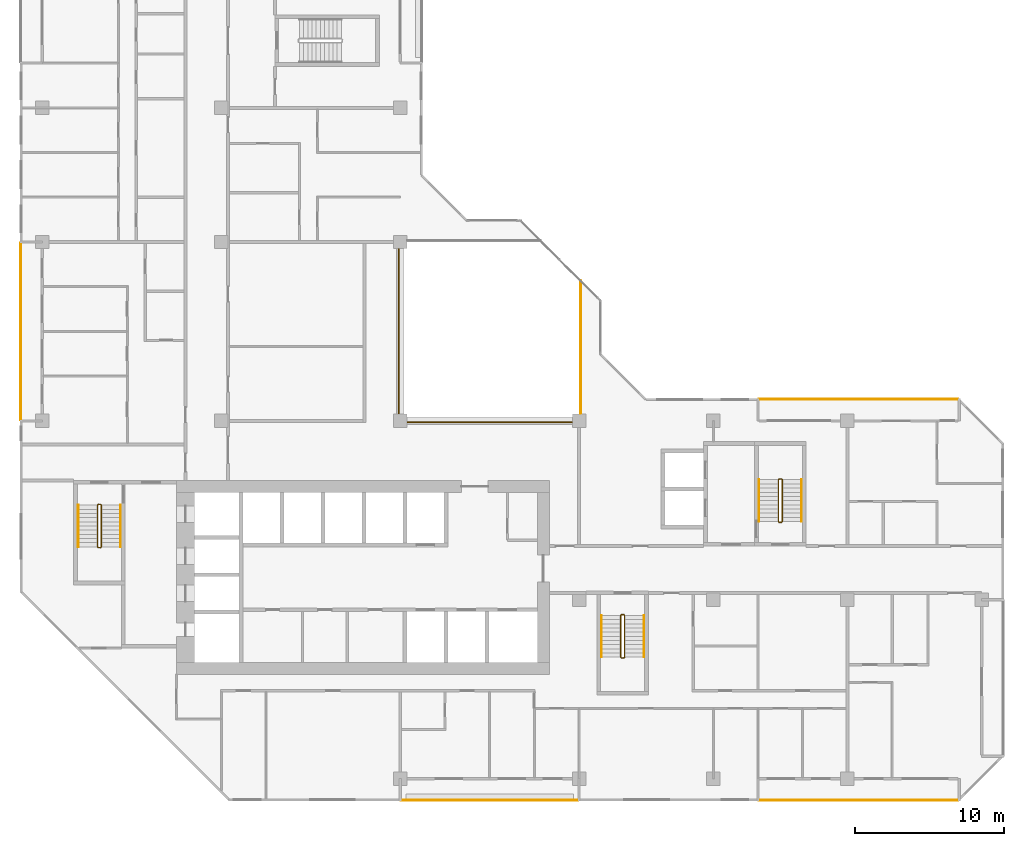
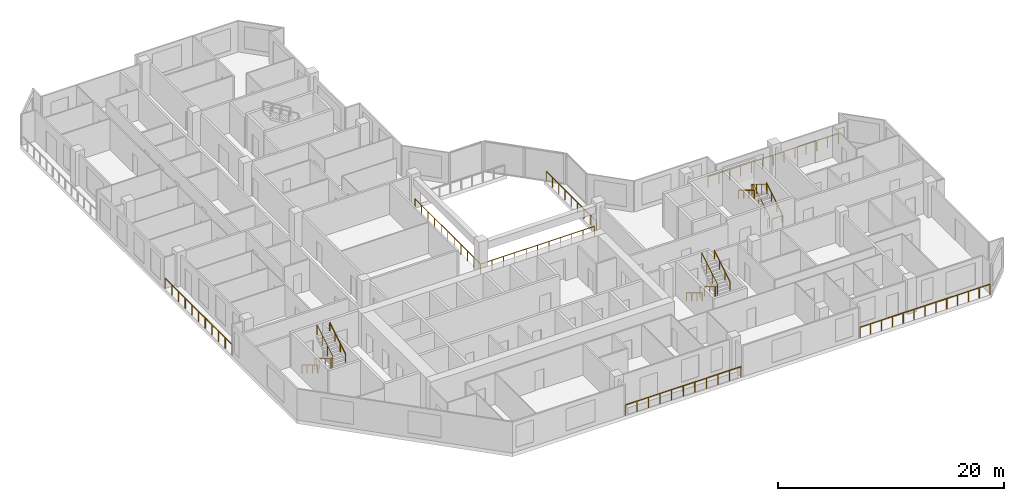
# One storey, part 13 of 14: 15 railings.
"""IFC4 building model written with IfcOpenShell, lengths in metres."""

from ifc_helpers import new_model, si_unit, direction, frame, origin, origin_2d, place, context, subcontext, project, spatial, rectangle, extrude, material, type_object, element, save


model = new_model("IFC4")

# Units and contexts
model_context = context("Model", 3, precision=1e-05, world=origin(), true_north=direction((0.0, 1.0)))
body_context = subcontext(model_context, "Body", "Model", "MODEL_VIEW")
ifc_project = project(units=[si_unit("LENGTHUNIT", "METRE"), si_unit("AREAUNIT", "SQUARE_METRE"), si_unit("VOLUMEUNIT", "CUBIC_METRE"), si_unit("PLANEANGLEUNIT", "RADIAN"), si_unit("MASSUNIT", "GRAM", prefix="KILO")], contexts=[model_context])

# Site, building, storey
site_placement = place(None, origin())
site = spatial("IfcSite", under=ifc_project, at=site_placement, CompositionType="ELEMENT")
building_placement = place(site_placement, origin())
building = spatial("IfcBuilding", under=site, at=building_placement, Name="Chenar Terraces", CompositionType="ELEMENT")
storey_placement = place(building_placement, frame((0.0, 0.0, 161.14990234375)))
storey = spatial("IfcBuildingStorey", under=building, at=storey_placement, Name="L36", CompositionType="ELEMENT", Elevation=161.14990234375)

# Railings
ifc_material_1 = material(Name="Powder-coated steel", Category="steel")
railing_type_1 = type_object("IfcRailingType", Name="Guard 1100 steel rail with glass infill", PredefinedType="GUARDRAIL", material=ifc_material_1)
railing_1_placement = place(storey_placement, frame((23.89990234375, 35.550048828125, 0.0)))
element("IfcRailing", 1, at=railing_1_placement, inside=storey, type_object=railing_type_1, Name="Guard L36-1", PredefinedType="GUARDRAIL", context=body_context, shape_type="SweptSolid", body=[
    extrude(rectangle(XDim=0.06005859375, YDim=0.06005859375, at=origin_2d()), frame((0.0, 0.0, 1.070068359375), z_axis=(0.0, -1.0, 0.0), x_axis=(1.0, 0.0, 0.0)), (0.0, 0.0, 1.0), 11.650146484375),
    extrude(rectangle(XDim=0.06005859375, YDim=0.06005859375, at=origin_2d()), frame((0.0, -11.650146484375, 1.070068359375), z_axis=(1.0, 0.0, 0.0), x_axis=(0.0, 1.0, 0.0)), (0.0, 0.0, 1.0), 11.650146484375),
    extrude(rectangle(XDim=0.050048828125, YDim=0.050048828125, at=origin_2d()), origin(), (0.0, 0.0, 1.0), 1.0400390625),
    extrude(rectangle(XDim=0.050048828125, YDim=0.050048828125, at=origin_2d()), frame((0.0, -1.1650390625, 0.0)), (0.0, 0.0, 1.0), 1.0400390625),
    extrude(rectangle(XDim=0.050048828125, YDim=0.050048828125, at=origin_2d()), frame((0.0, -2.330078125, 0.0)), (0.0, 0.0, 1.0), 1.0400390625),
    extrude(rectangle(XDim=0.050048828125, YDim=0.050048828125, at=origin_2d()), frame((0.0, -3.4951171875, 0.0)), (0.0, 0.0, 1.0), 1.0400390625),
    extrude(rectangle(XDim=0.050048828125, YDim=0.050048828125, at=origin_2d()), frame((0.0, -4.66015625, 0.0)), (0.0, 0.0, 1.0), 1.0400390625),
    extrude(rectangle(XDim=0.050048828125, YDim=0.050048828125, at=origin_2d()), frame((0.0, -5.8251953125, 0.0)), (0.0, 0.0, 1.0), 1.0400390625),
    extrude(rectangle(XDim=0.050048828125, YDim=0.050048828125, at=origin_2d()), frame((0.0, -6.989990234375, 0.0)), (0.0, 0.0, 1.0), 1.0400390625),
    extrude(rectangle(XDim=0.050048828125, YDim=0.050048828125, at=origin_2d()), frame((0.0, -8.155029296875, 0.0)), (0.0, 0.0, 1.0), 1.0400390625),
    extrude(rectangle(XDim=0.050048828125, YDim=0.050048828125, at=origin_2d()), frame((0.0, -9.320068359375, 0.0)), (0.0, 0.0, 1.0), 1.0400390625),
    extrude(rectangle(XDim=0.050048828125, YDim=0.050048828125, at=origin_2d()), frame((0.0, -10.485107421875, 0.0)), (0.0, 0.0, 1.0), 1.0400390625),
    extrude(rectangle(XDim=0.050048828125, YDim=0.050048828125, at=origin_2d()), frame((0.0, -11.650146484375, 0.0)), (0.0, 0.0, 1.0), 1.0400390625),
    extrude(rectangle(XDim=0.050048828125, YDim=0.050048828125, at=origin_2d()), frame((1.1650390625, -11.650146484375, 0.0)), (0.0, 0.0, 1.0), 1.0400390625),
    extrude(rectangle(XDim=0.050048828125, YDim=0.050048828125, at=origin_2d()), frame((2.330078125, -11.650146484375, 0.0)), (0.0, 0.0, 1.0), 1.0400390625),
    extrude(rectangle(XDim=0.050048828125, YDim=0.050048828125, at=origin_2d()), frame((3.4951171875, -11.650146484375, 0.0)), (0.0, 0.0, 1.0), 1.0400390625),
    extrude(rectangle(XDim=0.050048828125, YDim=0.050048828125, at=origin_2d()), frame((4.66015625, -11.650146484375, 0.0)), (0.0, 0.0, 1.0), 1.0400390625),
    extrude(rectangle(XDim=0.050048828125, YDim=0.050048828125, at=origin_2d()), frame((5.8251953125, -11.650146484375, 0.0)), (0.0, 0.0, 1.0), 1.0400390625),
    extrude(rectangle(XDim=0.050048828125, YDim=0.050048828125, at=origin_2d()), frame((6.989990234375, -11.650146484375, 0.0)), (0.0, 0.0, 1.0), 1.0400390625),
    extrude(rectangle(XDim=0.050048828125, YDim=0.050048828125, at=origin_2d()), frame((8.155029296875, -11.650146484375, 0.0)), (0.0, 0.0, 1.0), 1.0400390625),
    extrude(rectangle(XDim=0.050048828125, YDim=0.050048828125, at=origin_2d()), frame((9.320068359375, -11.650146484375, 0.0)), (0.0, 0.0, 1.0), 1.0400390625),
    extrude(rectangle(XDim=0.050048828125, YDim=0.050048828125, at=origin_2d()), frame((10.485107421875, -11.650146484375, 0.0)), (0.0, 0.0, 1.0), 1.0400390625),
    extrude(rectangle(XDim=0.050048828125, YDim=0.050048828125, at=origin_2d()), frame((11.650146484375, -11.650146484375, 0.0)), (0.0, 0.0, 1.0), 1.0400390625),
])
railing_2_placement = place(storey_placement, frame((36.10009765625, 24.5, 0.0)))
element("IfcRailing", 2, at=railing_2_placement, inside=storey, type_object=railing_type_1, Name="Guard L36-3", PredefinedType="GUARDRAIL", context=body_context, shape_type="SweptSolid", body=[
    extrude(rectangle(XDim=0.06005859375, YDim=0.06005859375, at=origin_2d()), frame((0.0, 0.0, 1.070068359375), z_axis=(0.0, 1.0, 0.0), x_axis=(-1.0, 0.0, 0.0)), (0.0, 0.0, 1.0), 8.89990234375),
    extrude(rectangle(XDim=0.050048828125, YDim=0.050048828125, at=origin_2d()), origin(), (0.0, 0.0, 1.0), 1.0400390625),
    extrude(rectangle(XDim=0.050048828125, YDim=0.050048828125, at=origin_2d()), frame((0.0, 1.112548828125, 0.0)), (0.0, 0.0, 1.0), 1.0400390625),
    extrude(rectangle(XDim=0.050048828125, YDim=0.050048828125, at=origin_2d()), frame((0.0, 2.22509765625, 0.0)), (0.0, 0.0, 1.0), 1.0400390625),
    extrude(rectangle(XDim=0.050048828125, YDim=0.050048828125, at=origin_2d()), frame((0.0, 3.33740234375, 0.0)), (0.0, 0.0, 1.0), 1.0400390625),
    extrude(rectangle(XDim=0.050048828125, YDim=0.050048828125, at=origin_2d()), frame((0.0, 4.449951171875, 0.0)), (0.0, 0.0, 1.0), 1.0400390625),
    extrude(rectangle(XDim=0.050048828125, YDim=0.050048828125, at=origin_2d()), frame((0.0, 5.5625, 0.0)), (0.0, 0.0, 1.0), 1.0400390625),
    extrude(rectangle(XDim=0.050048828125, YDim=0.050048828125, at=origin_2d()), frame((0.0, 6.6748046875, 0.0)), (0.0, 0.0, 1.0), 1.0400390625),
    extrude(rectangle(XDim=0.050048828125, YDim=0.050048828125, at=origin_2d()), frame((0.0, 7.787353515625, 0.0)), (0.0, 0.0, 1.0), 1.0400390625),
    extrude(rectangle(XDim=0.050048828125, YDim=0.050048828125, at=origin_2d()), frame((0.0, 8.89990234375, 0.0)), (0.0, 0.0, 1.0), 1.0400390625),
])
ifc_material_2 = material(Name="Stainless steel and glass", Category="steel")
railing_type_2 = type_object("IfcRailingType", Name="Loggia guard 1150", PredefinedType="GUARDRAIL", material=ifc_material_2)
railing_3_placement = place(storey_placement, frame((61.425048828125, 25.449951171875, 0.0)))
element("IfcRailing", 3, at=railing_3_placement, inside=storey, type_object=railing_type_2, Name="Loggia guard", PredefinedType="GUARDRAIL", context=body_context, shape_type="SweptSolid", body=[
    extrude(rectangle(XDim=0.048095703125, YDim=0.048095703125, at=origin_2d()), frame((0.0, 0.0, 1.1259765625), z_axis=(-1.0, 0.0, 0.0), x_axis=(0.0, -1.0, 0.0)), (0.0, 0.0, 1.0), 13.35009765625),
    extrude(rectangle(XDim=0.0419921875, YDim=0.0419921875, at=origin_2d()), origin(), (0.0, 0.0, 1.0), 1.101806640625),
    extrude(rectangle(XDim=0.0419921875, YDim=0.0419921875, at=origin_2d()), frame((-1.112548828125, 0.0, 0.0)), (0.0, 0.0, 1.0), 1.101806640625),
    extrude(rectangle(XDim=0.0419921875, YDim=0.0419921875, at=origin_2d()), frame((-2.22509765625, 0.0, 0.0)), (0.0, 0.0, 1.0), 1.101806640625),
    extrude(rectangle(XDim=0.0419921875, YDim=0.0419921875, at=origin_2d()), frame((-3.33740234375, 0.0, 0.0)), (0.0, 0.0, 1.0), 1.101806640625),
    extrude(rectangle(XDim=0.0419921875, YDim=0.0419921875, at=origin_2d()), frame((-4.449951171875, 0.0, 0.0)), (0.0, 0.0, 1.0), 1.101806640625),
    extrude(rectangle(XDim=0.0419921875, YDim=0.0419921875, at=origin_2d()), frame((-5.5625, 0.0, 0.0)), (0.0, 0.0, 1.0), 1.101806640625),
    extrude(rectangle(XDim=0.0419921875, YDim=0.0419921875, at=origin_2d()), frame((-6.675048828125, 0.0, 0.0)), (0.0, 0.0, 1.0), 1.101806640625),
    extrude(rectangle(XDim=0.0419921875, YDim=0.0419921875, at=origin_2d()), frame((-7.78759765625, 0.0, 0.0)), (0.0, 0.0, 1.0), 1.101806640625),
    extrude(rectangle(XDim=0.0419921875, YDim=0.0419921875, at=origin_2d()), frame((-8.900146484375, 0.0, 0.0)), (0.0, 0.0, 1.0), 1.101806640625),
    extrude(rectangle(XDim=0.0419921875, YDim=0.0419921875, at=origin_2d()), frame((-10.0126953125, 0.0, 0.0)), (0.0, 0.0, 1.0), 1.101806640625),
    extrude(rectangle(XDim=0.0419921875, YDim=0.0419921875, at=origin_2d()), frame((-11.125, 0.0, 0.0)), (0.0, 0.0, 1.0), 1.101806640625),
    extrude(rectangle(XDim=0.0419921875, YDim=0.0419921875, at=origin_2d()), frame((-12.237548828125, 0.0, 0.0)), (0.0, 0.0, 1.0), 1.101806640625),
    extrude(rectangle(XDim=0.0419921875, YDim=0.0419921875, at=origin_2d()), frame((-13.35009765625, 0.0, 0.0)), (0.0, 0.0, 1.0), 1.101806640625),
])
railing_4_placement = place(storey_placement, frame((24.074951171875, -1.449951171875, 0.0)))
element("IfcRailing", 4, at=railing_4_placement, inside=storey, type_object=railing_type_2, Name="Loggia guard", PredefinedType="GUARDRAIL", context=body_context, shape_type="SweptSolid", body=[
    extrude(rectangle(XDim=0.048095703125, YDim=0.048095703125, at=origin_2d()), frame((0.0, 0.0, 1.1259765625), z_axis=(1.0, 0.0, 0.0), x_axis=(0.0, 1.0, 0.0)), (0.0, 0.0, 1.0), 11.85009765625),
    extrude(rectangle(XDim=0.0419921875, YDim=0.0419921875, at=origin_2d()), origin(), (0.0, 0.0, 1.0), 1.101806640625),
    extrude(rectangle(XDim=0.0419921875, YDim=0.0419921875, at=origin_2d()), frame((1.18505859375, 0.0, 0.0)), (0.0, 0.0, 1.0), 1.101806640625),
    extrude(rectangle(XDim=0.0419921875, YDim=0.0419921875, at=origin_2d()), frame((2.3701171875, 0.0, 0.0)), (0.0, 0.0, 1.0), 1.101806640625),
    extrude(rectangle(XDim=0.0419921875, YDim=0.0419921875, at=origin_2d()), frame((3.554931640625, 0.0, 0.0)), (0.0, 0.0, 1.0), 1.101806640625),
    extrude(rectangle(XDim=0.0419921875, YDim=0.0419921875, at=origin_2d()), frame((4.739990234375, 0.0, 0.0)), (0.0, 0.0, 1.0), 1.101806640625),
    extrude(rectangle(XDim=0.0419921875, YDim=0.0419921875, at=origin_2d()), frame((5.925048828125, 0.0, 0.0)), (0.0, 0.0, 1.0), 1.101806640625),
    extrude(rectangle(XDim=0.0419921875, YDim=0.0419921875, at=origin_2d()), frame((7.110107421875, 0.0, 0.0)), (0.0, 0.0, 1.0), 1.101806640625),
    extrude(rectangle(XDim=0.0419921875, YDim=0.0419921875, at=origin_2d()), frame((8.295166015625, 0.0, 0.0)), (0.0, 0.0, 1.0), 1.101806640625),
    extrude(rectangle(XDim=0.0419921875, YDim=0.0419921875, at=origin_2d()), frame((9.47998046875, 0.0, 0.0)), (0.0, 0.0, 1.0), 1.101806640625),
    extrude(rectangle(XDim=0.0419921875, YDim=0.0419921875, at=origin_2d()), frame((10.6650390625, 0.0, 0.0)), (0.0, 0.0, 1.0), 1.101806640625),
    extrude(rectangle(XDim=0.0419921875, YDim=0.0419921875, at=origin_2d()), frame((11.85009765625, 0.0, 0.0)), (0.0, 0.0, 1.0), 1.101806640625),
])
railing_5_placement = place(storey_placement, frame((48.074951171875, -1.449951171875, 0.0)))
element("IfcRailing", 5, at=railing_5_placement, inside=storey, type_object=railing_type_2, Name="Loggia guard", PredefinedType="GUARDRAIL", context=body_context, shape_type="SweptSolid", body=[
    extrude(rectangle(XDim=0.048095703125, YDim=0.048095703125, at=origin_2d()), frame((0.0, 0.0, 1.1259765625), z_axis=(1.0, 0.0, 0.0), x_axis=(0.0, 1.0, 0.0)), (0.0, 0.0, 1.0), 13.35009765625),
    extrude(rectangle(XDim=0.0419921875, YDim=0.0419921875, at=origin_2d()), origin(), (0.0, 0.0, 1.0), 1.101806640625),
    extrude(rectangle(XDim=0.0419921875, YDim=0.0419921875, at=origin_2d()), frame((1.112548828125, 0.0, 0.0)), (0.0, 0.0, 1.0), 1.101806640625),
    extrude(rectangle(XDim=0.0419921875, YDim=0.0419921875, at=origin_2d()), frame((2.22509765625, 0.0, 0.0)), (0.0, 0.0, 1.0), 1.101806640625),
    extrude(rectangle(XDim=0.0419921875, YDim=0.0419921875, at=origin_2d()), frame((3.33740234375, 0.0, 0.0)), (0.0, 0.0, 1.0), 1.101806640625),
    extrude(rectangle(XDim=0.0419921875, YDim=0.0419921875, at=origin_2d()), frame((4.449951171875, 0.0, 0.0)), (0.0, 0.0, 1.0), 1.101806640625),
    extrude(rectangle(XDim=0.0419921875, YDim=0.0419921875, at=origin_2d()), frame((5.5625, 0.0, 0.0)), (0.0, 0.0, 1.0), 1.101806640625),
    extrude(rectangle(XDim=0.0419921875, YDim=0.0419921875, at=origin_2d()), frame((6.675048828125, 0.0, 0.0)), (0.0, 0.0, 1.0), 1.101806640625),
    extrude(rectangle(XDim=0.0419921875, YDim=0.0419921875, at=origin_2d()), frame((7.78759765625, 0.0, 0.0)), (0.0, 0.0, 1.0), 1.101806640625),
    extrude(rectangle(XDim=0.0419921875, YDim=0.0419921875, at=origin_2d()), frame((8.900146484375, 0.0, 0.0)), (0.0, 0.0, 1.0), 1.101806640625),
    extrude(rectangle(XDim=0.0419921875, YDim=0.0419921875, at=origin_2d()), frame((10.0126953125, 0.0, 0.0)), (0.0, 0.0, 1.0), 1.101806640625),
    extrude(rectangle(XDim=0.0419921875, YDim=0.0419921875, at=origin_2d()), frame((11.125, 0.0, 0.0)), (0.0, 0.0, 1.0), 1.101806640625),
    extrude(rectangle(XDim=0.0419921875, YDim=0.0419921875, at=origin_2d()), frame((12.237548828125, 0.0, 0.0)), (0.0, 0.0, 1.0), 1.101806640625),
    extrude(rectangle(XDim=0.0419921875, YDim=0.0419921875, at=origin_2d()), frame((13.35009765625, 0.0, 0.0)), (0.0, 0.0, 1.0), 1.101806640625),
])
railing_6_placement = place(storey_placement, frame((-1.449951171875, 35.925048828125, 0.0)))
element("IfcRailing", 6, at=railing_6_placement, inside=storey, type_object=railing_type_2, Name="Loggia guard", PredefinedType="GUARDRAIL", context=body_context, shape_type="SweptSolid", body=[
    extrude(rectangle(XDim=0.048095703125, YDim=0.048095703125, at=origin_2d()), frame((0.0, 0.0, 1.1259765625), z_axis=(0.0, -1.0, 0.0), x_axis=(1.0, 0.0, 0.0)), (0.0, 0.0, 1.0), 11.85009765625),
    extrude(rectangle(XDim=0.0419921875, YDim=0.0419921875, at=origin_2d()), origin(), (0.0, 0.0, 1.0), 1.101806640625),
    extrude(rectangle(XDim=0.0419921875, YDim=0.0419921875, at=origin_2d()), frame((0.0, -1.18505859375, 0.0)), (0.0, 0.0, 1.0), 1.101806640625),
    extrude(rectangle(XDim=0.0419921875, YDim=0.0419921875, at=origin_2d()), frame((0.0, -2.3701171875, 0.0)), (0.0, 0.0, 1.0), 1.101806640625),
    extrude(rectangle(XDim=0.0419921875, YDim=0.0419921875, at=origin_2d()), frame((0.0, -3.554931640625, 0.0)), (0.0, 0.0, 1.0), 1.101806640625),
    extrude(rectangle(XDim=0.0419921875, YDim=0.0419921875, at=origin_2d()), frame((0.0, -4.739990234375, 0.0)), (0.0, 0.0, 1.0), 1.101806640625),
    extrude(rectangle(XDim=0.0419921875, YDim=0.0419921875, at=origin_2d()), frame((0.0, -5.925048828125, 0.0)), (0.0, 0.0, 1.0), 1.101806640625),
    extrude(rectangle(XDim=0.0419921875, YDim=0.0419921875, at=origin_2d()), frame((0.0, -7.110107421875, 0.0)), (0.0, 0.0, 1.0), 1.101806640625),
    extrude(rectangle(XDim=0.0419921875, YDim=0.0419921875, at=origin_2d()), frame((0.0, -8.295166015625, 0.0)), (0.0, 0.0, 1.0), 1.101806640625),
    extrude(rectangle(XDim=0.0419921875, YDim=0.0419921875, at=origin_2d()), frame((0.0, -9.47998046875, 0.0)), (0.0, 0.0, 1.0), 1.101806640625),
    extrude(rectangle(XDim=0.0419921875, YDim=0.0419921875, at=origin_2d()), frame((0.0, -10.6650390625, 0.0)), (0.0, 0.0, 1.0), 1.101806640625),
    extrude(rectangle(XDim=0.0419921875, YDim=0.0419921875, at=origin_2d()), frame((0.0, -11.85009765625, 0.0)), (0.0, 0.0, 1.0), 1.101806640625),
])
ifc_material_3 = material(Name="Powder-coated steel", Category="steel")
railing_type_3 = type_object("IfcRailingType", Name="Stair guard 1100", PredefinedType="GUARDRAIL", material=ifc_material_3)
railing_7_placement = place(storey_placement, frame((3.949951171875, 18.35009765625, 3.75)))
element("IfcRailing", 7, at=railing_7_placement, inside=storey, type_object=railing_type_3, Name="L36 ST1 stair guard 1", PredefinedType="GUARDRAIL", context=body_context, shape_type="SweptSolid", body=[
    extrude(rectangle(XDim=0.048095703125, YDim=0.048095703125, at=origin_2d()), frame((0.0, 0.0, 1.076171875), z_axis=(0.0, -0.854202870247, -0.519939858505), x_axis=(1.0, 0.0, 0.0)), (0.0, 0.0, 1.0), 3.278076171875),
    extrude(rectangle(XDim=0.048095703125, YDim=0.048095703125, at=origin_2d()), frame((0.0, -2.800048828125, -0.62841796875), z_axis=(-0.270899902878, -0.270899902878, -0.923702595667), x_axis=(0.707106781187, -0.707106781187, 0.0)), (0.0, 0.0, 1.0), 0.184814453125),
    extrude(rectangle(XDim=0.048095703125, YDim=0.048095703125, at=origin_2d()), frame((-0.050048828125, -2.85009765625, -0.798828125), z_axis=(-1.0, 0.0, 0.0), x_axis=(0.0, -1.0, 0.0)), (0.0, 0.0, 1.0), 0.14990234375),
    extrude(rectangle(XDim=0.048095703125, YDim=0.048095703125, at=origin_2d()), frame((-0.199951171875, -2.85009765625, -0.798828125), z_axis=(-0.707106781187, 0.707106781187, 0.0), x_axis=(-0.707106781187, -0.707106781187, 0.0)), (0.0, 0.0, 1.0), 0.07080078125),
    extrude(rectangle(XDim=0.048095703125, YDim=0.048095703125, at=origin_2d()), frame((-0.25, -2.800048828125, -0.798828125), z_axis=(0.0, 0.854202870247, -0.519939858505), x_axis=(-1.0, 0.0, 0.0)), (0.0, 0.0, 1.0), 3.278076171875),
    extrude(rectangle(XDim=0.048095703125, YDim=0.048095703125, at=origin_2d()), frame((-0.25, 0.0, -2.50341796875), z_axis=(0.270996696079, 0.269674760976, -0.924032636873), x_axis=(-0.705375805398, 0.708833529934, 0.0)), (0.0, 0.0, 1.0), 0.1845703125),
    extrude(rectangle(XDim=0.048095703125, YDim=0.048095703125, at=origin_2d()), frame((-0.199951171875, 0.0498046875, -2.673828125), z_axis=(1.0, 0.0, 0.0), x_axis=(0.0, 1.0, 0.0)), (0.0, 0.0, 1.0), 0.14990234375),
    extrude(rectangle(XDim=0.0419921875, YDim=0.0419921875, at=origin_2d()), origin(), (0.0, 0.0, 1.0), 1.052001953125),
    extrude(rectangle(XDim=0.0419921875, YDim=0.0419921875, at=origin_2d()), frame((0.0, -0.933349609375, -0.568115234375)), (0.0, 0.0, 1.0), 1.052001953125),
    extrude(rectangle(XDim=0.0419921875, YDim=0.0419921875, at=origin_2d()), frame((0.0, -1.86669921875, -1.13623046875)), (0.0, 0.0, 1.0), 1.052001953125),
    extrude(rectangle(XDim=0.0419921875, YDim=0.0419921875, at=origin_2d()), frame((0.0, -2.800048828125, -1.704345703125)), (0.0, 0.0, 1.0), 1.052001953125),
    extrude(rectangle(XDim=0.0419921875, YDim=0.0419921875, at=origin_2d()), frame((-0.050048828125, -2.85009765625, -1.875)), (0.0, 0.0, 1.0), 1.052001953125),
    extrude(rectangle(XDim=0.0419921875, YDim=0.0419921875, at=origin_2d()), frame((-0.199951171875, -2.85009765625, -1.875)), (0.0, 0.0, 1.0), 1.052001953125),
    extrude(rectangle(XDim=0.0419921875, YDim=0.0419921875, at=origin_2d()), frame((-0.25, -2.800048828125, -1.875)), (0.0, 0.0, 1.0), 1.052001953125),
    extrude(rectangle(XDim=0.0419921875, YDim=0.0419921875, at=origin_2d()), frame((-0.25, -1.86669921875, -2.443115234375)), (0.0, 0.0, 1.0), 1.052001953125),
    extrude(rectangle(XDim=0.0419921875, YDim=0.0419921875, at=origin_2d()), frame((-0.25, -0.933349609375, -3.01123046875)), (0.0, 0.0, 1.0), 1.052001953125),
    extrude(rectangle(XDim=0.0419921875, YDim=0.0419921875, at=origin_2d()), frame((-0.25, 0.0, -3.579345703125)), (0.0, 0.0, 1.0), 1.052001953125),
    extrude(rectangle(XDim=0.0419921875, YDim=0.0419921875, at=origin_2d()), frame((-0.199951171875, 0.0498046875, -3.75)), (0.0, 0.0, 1.0), 1.052001953125),
    extrude(rectangle(XDim=0.0419921875, YDim=0.0419921875, at=origin_2d()), frame((-0.050048828125, 0.0498046875, -3.75)), (0.0, 0.0, 1.0), 1.052001953125),
])
railing_8_placement = place(storey_placement, frame((39.050048828125, 10.949951171875, 3.75)))
element("IfcRailing", 8, at=railing_8_placement, inside=storey, type_object=railing_type_3, Name="L36 ST2 stair guard 1", PredefinedType="GUARDRAIL", context=body_context, shape_type="SweptSolid", body=[
    extrude(rectangle(XDim=0.048095703125, YDim=0.048095703125, at=origin_2d()), frame((0.0, 0.0, 1.076171875), z_axis=(0.0, -0.854202870247, -0.519939858505), x_axis=(1.0, 0.0, 0.0)), (0.0, 0.0, 1.0), 3.278076171875),
    extrude(rectangle(XDim=0.048095703125, YDim=0.048095703125, at=origin_2d()), frame((0.0, -2.800048828125, -0.62841796875), z_axis=(-0.270996696079, -0.269674760976, -0.924032636873), x_axis=(0.705375805398, -0.708833529934, 0.0)), (0.0, 0.0, 1.0), 0.1845703125),
    extrude(rectangle(XDim=0.048095703125, YDim=0.048095703125, at=origin_2d()), frame((-0.050048828125, -2.849853515625, -0.798828125), z_axis=(-1.0, 0.0, 0.0), x_axis=(0.0, -1.0, 0.0)), (0.0, 0.0, 1.0), 0.14990234375),
    extrude(rectangle(XDim=0.048095703125, YDim=0.048095703125, at=origin_2d()), frame((-0.199951171875, -2.849853515625, -0.798828125), z_axis=(-0.708833529934, 0.705375805398, 0.0), x_axis=(-0.705375805398, -0.708833529934, 0.0)), (0.0, 0.0, 1.0), 0.070556640625),
    extrude(rectangle(XDim=0.048095703125, YDim=0.048095703125, at=origin_2d()), frame((-0.25, -2.800048828125, -0.798828125), z_axis=(0.0, 0.854202870247, -0.519939858505), x_axis=(-1.0, 0.0, 0.0)), (0.0, 0.0, 1.0), 3.278076171875),
    extrude(rectangle(XDim=0.048095703125, YDim=0.048095703125, at=origin_2d()), frame((-0.25, 0.0, -2.50341796875), z_axis=(0.270899902878, 0.270899902878, -0.923702595667), x_axis=(-0.707106781187, 0.707106781187, 0.0)), (0.0, 0.0, 1.0), 0.184814453125),
    extrude(rectangle(XDim=0.048095703125, YDim=0.048095703125, at=origin_2d()), frame((-0.199951171875, 0.050048828125, -2.673828125), z_axis=(1.0, 0.0, 0.0), x_axis=(0.0, 1.0, 0.0)), (0.0, 0.0, 1.0), 0.14990234375),
    extrude(rectangle(XDim=0.0419921875, YDim=0.0419921875, at=origin_2d()), origin(), (0.0, 0.0, 1.0), 1.052001953125),
    extrude(rectangle(XDim=0.0419921875, YDim=0.0419921875, at=origin_2d()), frame((0.0, -0.933349609375, -0.568115234375)), (0.0, 0.0, 1.0), 1.052001953125),
    extrude(rectangle(XDim=0.0419921875, YDim=0.0419921875, at=origin_2d()), frame((0.0, -1.86669921875, -1.13623046875)), (0.0, 0.0, 1.0), 1.052001953125),
    extrude(rectangle(XDim=0.0419921875, YDim=0.0419921875, at=origin_2d()), frame((0.0, -2.800048828125, -1.704345703125)), (0.0, 0.0, 1.0), 1.052001953125),
    extrude(rectangle(XDim=0.0419921875, YDim=0.0419921875, at=origin_2d()), frame((-0.050048828125, -2.849853515625, -1.875)), (0.0, 0.0, 1.0), 1.052001953125),
    extrude(rectangle(XDim=0.0419921875, YDim=0.0419921875, at=origin_2d()), frame((-0.199951171875, -2.849853515625, -1.875)), (0.0, 0.0, 1.0), 1.052001953125),
    extrude(rectangle(XDim=0.0419921875, YDim=0.0419921875, at=origin_2d()), frame((-0.25, -2.800048828125, -1.875)), (0.0, 0.0, 1.0), 1.052001953125),
    extrude(rectangle(XDim=0.0419921875, YDim=0.0419921875, at=origin_2d()), frame((-0.25, -1.86669921875, -2.443115234375)), (0.0, 0.0, 1.0), 1.052001953125),
    extrude(rectangle(XDim=0.0419921875, YDim=0.0419921875, at=origin_2d()), frame((-0.25, -0.933349609375, -3.01123046875)), (0.0, 0.0, 1.0), 1.052001953125),
    extrude(rectangle(XDim=0.0419921875, YDim=0.0419921875, at=origin_2d()), frame((-0.25, 0.0, -3.579345703125)), (0.0, 0.0, 1.0), 1.052001953125),
    extrude(rectangle(XDim=0.0419921875, YDim=0.0419921875, at=origin_2d()), frame((-0.199951171875, 0.050048828125, -3.75)), (0.0, 0.0, 1.0), 1.052001953125),
    extrude(rectangle(XDim=0.0419921875, YDim=0.0419921875, at=origin_2d()), frame((-0.050048828125, 0.050048828125, -3.75)), (0.0, 0.0, 1.0), 1.052001953125),
])
railing_9_placement = place(storey_placement, frame((49.375, 17.25, 3.75)))
element("IfcRailing", 9, at=railing_9_placement, inside=storey, type_object=railing_type_3, Name="L36 ST3 stair guard 1", PredefinedType="GUARDRAIL", context=body_context, shape_type="SweptSolid", body=[
    extrude(rectangle(XDim=0.048095703125, YDim=0.048095703125, at=origin_2d()), frame((0.0, 0.0, 1.076171875), z_axis=(0.0, 0.854202870247, -0.519939858505), x_axis=(-1.0, 0.0, 0.0)), (0.0, 0.0, 1.0), 3.278076171875),
    extrude(rectangle(XDim=0.048095703125, YDim=0.048095703125, at=origin_2d()), frame((0.0, 2.800048828125, -0.62841796875), z_axis=(0.270899902878, 0.270899902878, -0.923702595667), x_axis=(-0.707106781187, 0.707106781187, 0.0)), (0.0, 0.0, 1.0), 0.184814453125),
    extrude(rectangle(XDim=0.048095703125, YDim=0.048095703125, at=origin_2d()), frame((0.050048828125, 2.85009765625, -0.798828125), z_axis=(1.0, 0.0, 0.0), x_axis=(0.0, 1.0, 0.0)), (0.0, 0.0, 1.0), 0.14990234375),
    extrude(rectangle(XDim=0.048095703125, YDim=0.048095703125, at=origin_2d()), frame((0.199951171875, 2.85009765625, -0.798828125), z_axis=(0.707106781187, -0.707106781187, 0.0), x_axis=(0.707106781187, 0.707106781187, 0.0)), (0.0, 0.0, 1.0), 0.07080078125),
    extrude(rectangle(XDim=0.048095703125, YDim=0.048095703125, at=origin_2d()), frame((0.25, 2.800048828125, -0.798828125), z_axis=(0.0, -0.854202870247, -0.519939858505), x_axis=(1.0, 0.0, 0.0)), (0.0, 0.0, 1.0), 3.278076171875),
    extrude(rectangle(XDim=0.048095703125, YDim=0.048095703125, at=origin_2d()), frame((0.25, 0.0, -2.50341796875), z_axis=(-0.270899902878, -0.270899902878, -0.923702595667), x_axis=(0.707106781187, -0.707106781187, 0.0)), (0.0, 0.0, 1.0), 0.184814453125),
    extrude(rectangle(XDim=0.048095703125, YDim=0.048095703125, at=origin_2d()), frame((0.199951171875, -0.050048828125, -2.673828125), z_axis=(-1.0, 0.0, 0.0), x_axis=(0.0, -1.0, 0.0)), (0.0, 0.0, 1.0), 0.14990234375),
    extrude(rectangle(XDim=0.0419921875, YDim=0.0419921875, at=origin_2d()), origin(), (0.0, 0.0, 1.0), 1.052001953125),
    extrude(rectangle(XDim=0.0419921875, YDim=0.0419921875, at=origin_2d()), frame((0.0, 0.933349609375, -0.568115234375)), (0.0, 0.0, 1.0), 1.052001953125),
    extrude(rectangle(XDim=0.0419921875, YDim=0.0419921875, at=origin_2d()), frame((0.0, 1.86669921875, -1.13623046875)), (0.0, 0.0, 1.0), 1.052001953125),
    extrude(rectangle(XDim=0.0419921875, YDim=0.0419921875, at=origin_2d()), frame((0.0, 2.800048828125, -1.704345703125)), (0.0, 0.0, 1.0), 1.052001953125),
    extrude(rectangle(XDim=0.0419921875, YDim=0.0419921875, at=origin_2d()), frame((0.050048828125, 2.85009765625, -1.875)), (0.0, 0.0, 1.0), 1.052001953125),
    extrude(rectangle(XDim=0.0419921875, YDim=0.0419921875, at=origin_2d()), frame((0.199951171875, 2.85009765625, -1.875)), (0.0, 0.0, 1.0), 1.052001953125),
    extrude(rectangle(XDim=0.0419921875, YDim=0.0419921875, at=origin_2d()), frame((0.25, 2.800048828125, -1.875)), (0.0, 0.0, 1.0), 1.052001953125),
    extrude(rectangle(XDim=0.0419921875, YDim=0.0419921875, at=origin_2d()), frame((0.25, 1.86669921875, -2.443115234375)), (0.0, 0.0, 1.0), 1.052001953125),
    extrude(rectangle(XDim=0.0419921875, YDim=0.0419921875, at=origin_2d()), frame((0.25, 0.933349609375, -3.01123046875)), (0.0, 0.0, 1.0), 1.052001953125),
    extrude(rectangle(XDim=0.0419921875, YDim=0.0419921875, at=origin_2d()), frame((0.25, 0.0, -3.579345703125)), (0.0, 0.0, 1.0), 1.052001953125),
    extrude(rectangle(XDim=0.0419921875, YDim=0.0419921875, at=origin_2d()), frame((0.199951171875, -0.050048828125, -3.75)), (0.0, 0.0, 1.0), 1.052001953125),
    extrude(rectangle(XDim=0.0419921875, YDim=0.0419921875, at=origin_2d()), frame((0.050048828125, -0.050048828125, -3.75)), (0.0, 0.0, 1.0), 1.052001953125),
])
ifc_material_4 = material(Name="Powder-coated steel", Category="steel")
railing_type_4 = type_object("IfcRailingType", Name="Stair handrail 900", PredefinedType="HANDRAIL", material=ifc_material_4)
railing_10_placement = place(storey_placement, frame((2.39990234375, 18.35009765625, 0.170654296875)))
element("IfcRailing", 10, at=railing_10_placement, inside=storey, type_object=railing_type_4, Name="L36 ST1 stair handrail 1", PredefinedType="HANDRAIL", context=body_context, shape_type="SweptSolid", body=[
    extrude(rectangle(XDim=0.048095703125, YDim=0.048095703125, at=origin_2d()), frame((0.0, 0.0, 0.8759765625), z_axis=(0.0, -0.854202870247, 0.519939858505), x_axis=(1.0, 0.0, 0.0)), (0.0, 0.0, 1.0), 3.278076171875),
    extrude(rectangle(XDim=0.0419921875, YDim=0.0419921875, at=origin_2d()), origin(), (0.0, 0.0, 1.0), 0.851806640625),
    extrude(rectangle(XDim=0.0419921875, YDim=0.0419921875, at=origin_2d()), frame((0.0, -0.933349609375, 0.568115234375)), (0.0, 0.0, 1.0), 0.851806640625),
    extrude(rectangle(XDim=0.0419921875, YDim=0.0419921875, at=origin_2d()), frame((0.0, -1.86669921875, 1.13623046875)), (0.0, 0.0, 1.0), 0.851806640625),
    extrude(rectangle(XDim=0.0419921875, YDim=0.0419921875, at=origin_2d()), frame((0.0, -2.800048828125, 1.704345703125)), (0.0, 0.0, 1.0), 0.851806640625),
])
railing_11_placement = place(storey_placement, frame((5.25, 15.550048828125, 2.045654296875)))
element("IfcRailing", 11, at=railing_11_placement, inside=storey, type_object=railing_type_4, Name="L36 ST1 stair handrail 2", PredefinedType="HANDRAIL", context=body_context, shape_type="SweptSolid", body=[
    extrude(rectangle(XDim=0.048095703125, YDim=0.048095703125, at=origin_2d()), frame((0.0, 0.0, 0.8759765625), z_axis=(0.0, 0.854202870247, 0.519939858505), x_axis=(-1.0, 0.0, 0.0)), (0.0, 0.0, 1.0), 3.278076171875),
    extrude(rectangle(XDim=0.0419921875, YDim=0.0419921875, at=origin_2d()), origin(), (0.0, 0.0, 1.0), 0.851806640625),
    extrude(rectangle(XDim=0.0419921875, YDim=0.0419921875, at=origin_2d()), frame((0.0, 0.933349609375, 0.568115234375)), (0.0, 0.0, 1.0), 0.851806640625),
    extrude(rectangle(XDim=0.0419921875, YDim=0.0419921875, at=origin_2d()), frame((0.0, 1.86669921875, 1.13623046875)), (0.0, 0.0, 1.0), 0.851806640625),
    extrude(rectangle(XDim=0.0419921875, YDim=0.0419921875, at=origin_2d()), frame((0.0, 2.800048828125, 1.704345703125)), (0.0, 0.0, 1.0), 0.851806640625),
])
railing_12_placement = place(storey_placement, frame((37.5, 10.949951171875, 0.170654296875)))
element("IfcRailing", 12, at=railing_12_placement, inside=storey, type_object=railing_type_4, Name="L36 ST2 stair handrail 1", PredefinedType="HANDRAIL", context=body_context, shape_type="SweptSolid", body=[
    extrude(rectangle(XDim=0.048095703125, YDim=0.048095703125, at=origin_2d()), frame((0.0, 0.0, 0.8759765625), z_axis=(0.0, -0.854202870247, 0.519939858505), x_axis=(1.0, 0.0, 0.0)), (0.0, 0.0, 1.0), 3.278076171875),
    extrude(rectangle(XDim=0.0419921875, YDim=0.0419921875, at=origin_2d()), origin(), (0.0, 0.0, 1.0), 0.851806640625),
    extrude(rectangle(XDim=0.0419921875, YDim=0.0419921875, at=origin_2d()), frame((0.0, -0.933349609375, 0.568115234375)), (0.0, 0.0, 1.0), 0.851806640625),
    extrude(rectangle(XDim=0.0419921875, YDim=0.0419921875, at=origin_2d()), frame((0.0, -1.86669921875, 1.13623046875)), (0.0, 0.0, 1.0), 0.851806640625),
    extrude(rectangle(XDim=0.0419921875, YDim=0.0419921875, at=origin_2d()), frame((0.0, -2.800048828125, 1.704345703125)), (0.0, 0.0, 1.0), 0.851806640625),
])
for number, where, name in (
    (13, (40.35009765625, 8.14990234375, 2.045654296875), "L36 ST2 stair handrail 2"),
    (14, (50.925048828125, 17.25, 0.170654296875), "L36 ST3 stair handrail 1"),
):
    element("IfcRailing", number, at=place(storey_placement, frame(where)), inside=storey, type_object=railing_type_4, Name=name, PredefinedType="HANDRAIL", context=body_context, shape_type="SweptSolid", body=[
        extrude(rectangle(XDim=0.048095703125, YDim=0.048095703125, at=origin_2d()), frame((0.0, 0.0, 0.8759765625), z_axis=(0.0, 0.854202870247, 0.519939858505), x_axis=(-1.0, 0.0, 0.0)), (0.0, 0.0, 1.0), 3.278076171875),
        extrude(rectangle(XDim=0.0419921875, YDim=0.0419921875, at=origin_2d()), origin(), (0.0, 0.0, 1.0), 0.851806640625),
        extrude(rectangle(XDim=0.0419921875, YDim=0.0419921875, at=origin_2d()), frame((0.0, 0.933349609375, 0.568115234375)), (0.0, 0.0, 1.0), 0.851806640625),
        extrude(rectangle(XDim=0.0419921875, YDim=0.0419921875, at=origin_2d()), frame((0.0, 1.86669921875, 1.13623046875)), (0.0, 0.0, 1.0), 0.851806640625),
        extrude(rectangle(XDim=0.0419921875, YDim=0.0419921875, at=origin_2d()), frame((0.0, 2.800048828125, 1.704345703125)), (0.0, 0.0, 1.0), 0.851806640625),
    ])
railing_13_placement = place(storey_placement, frame((48.074951171875, 20.050048828125, 2.045654296875)))
element("IfcRailing", 15, at=railing_13_placement, inside=storey, type_object=railing_type_4, Name="L36 ST3 stair handrail 2", PredefinedType="HANDRAIL", context=body_context, shape_type="SweptSolid", body=[
    extrude(rectangle(XDim=0.048095703125, YDim=0.048095703125, at=origin_2d()), frame((0.0, 0.0, 0.8759765625), z_axis=(0.0, -0.854202870247, 0.519939858505), x_axis=(1.0, 0.0, 0.0)), (0.0, 0.0, 1.0), 3.278076171875),
    extrude(rectangle(XDim=0.0419921875, YDim=0.0419921875, at=origin_2d()), origin(), (0.0, 0.0, 1.0), 0.851806640625),
    extrude(rectangle(XDim=0.0419921875, YDim=0.0419921875, at=origin_2d()), frame((0.0, -0.933349609375, 0.568115234375)), (0.0, 0.0, 1.0), 0.851806640625),
    extrude(rectangle(XDim=0.0419921875, YDim=0.0419921875, at=origin_2d()), frame((0.0, -1.86669921875, 1.13623046875)), (0.0, 0.0, 1.0), 0.851806640625),
    extrude(rectangle(XDim=0.0419921875, YDim=0.0419921875, at=origin_2d()), frame((0.0, -2.800048828125, 1.704345703125)), (0.0, 0.0, 1.0), 0.851806640625),
])

save(model, "model.ifc")
